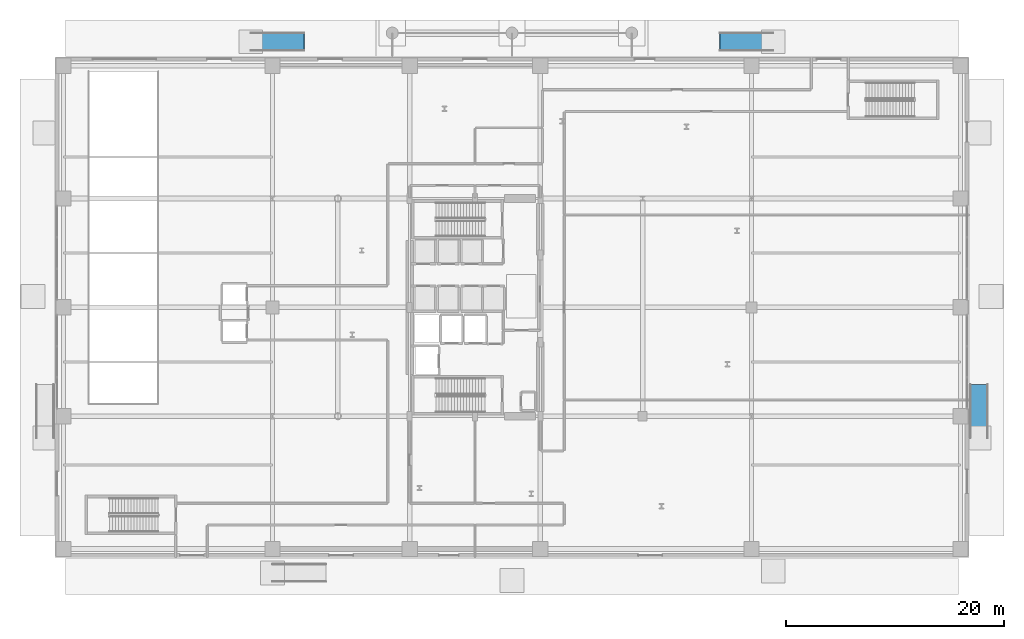
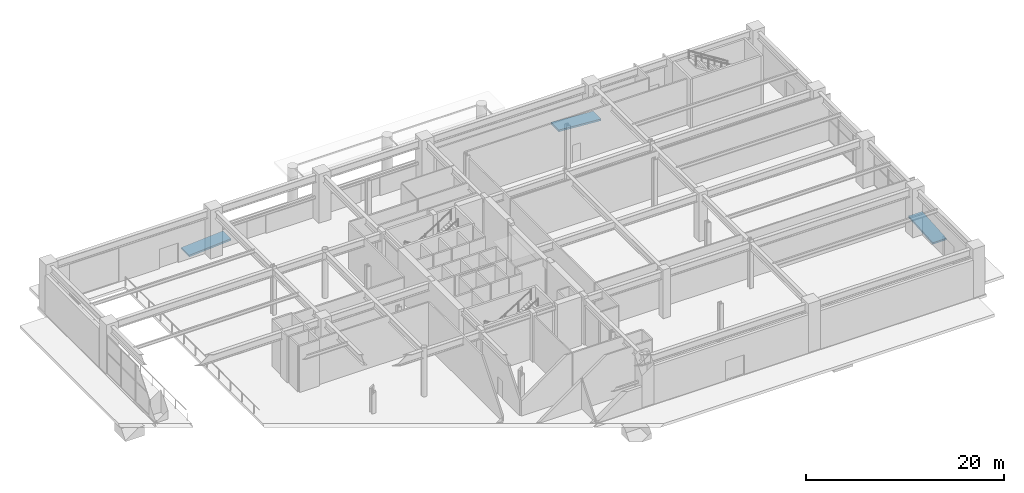
# One storey, part 24 of 31: 3 ramp flights, 3 elements without a shape of their own.
"""IFC4 building model written with IfcOpenShell, lengths in metres."""

from ifc_helpers import new_model, si_unit, direction, frame, origin, place, context, subcontext, project, spatial, polyline, outline, extrude, material, layer, layer_set, type_object, element, aggregate, save


model = new_model("IFC4")

# Units and contexts
model_context = context("Model", 3, precision=1e-05, world=origin(), true_north=direction((0.0, 1.0)))
body_context = subcontext(model_context, "Body", "Model", "MODEL_VIEW")
ifc_project = project(units=[si_unit("LENGTHUNIT", "METRE"), si_unit("AREAUNIT", "SQUARE_METRE"), si_unit("VOLUMEUNIT", "CUBIC_METRE"), si_unit("PLANEANGLEUNIT", "RADIAN"), si_unit("MASSUNIT", "GRAM", prefix="KILO")], contexts=[model_context])

# Site, building, storey
site_placement = place(None, origin())
site = spatial("IfcSite", under=ifc_project, at=site_placement, CompositionType="ELEMENT")
building_placement = place(site_placement, origin())
building = spatial("IfcBuilding", under=site, at=building_placement, Name="Soratama Intermodal Tower", CompositionType="ELEMENT")
storey_placement = place(building_placement, origin())
storey = spatial("IfcBuildingStorey", under=building, at=storey_placement, Name="L00", CompositionType="ELEMENT", Elevation=0.0)

# Ramp, ramp flight
ifc_material_1 = material(Name="Concrete f'c 42 MPa", Category="concrete")
ramp_type = type_object("IfcRampType", Name="RM-ACC-PED", PredefinedType="STRAIGHT_RUN_RAMP", material=ifc_material_1)
ramp_1_placement = place(storey_placement, origin())
ramp_1 = element("IfcRamp", 1, at=ramp_1_placement, inside=storey, type_object=ramp_type, Name="L00 Accessible Plaza Ramp N1", PredefinedType="STRAIGHT_RUN_RAMP")
ifc_material_2 = material(Name="Concrete f'c 42 MPa", Category="concrete")
ifc_layer = layer(ifc_material_2, 0.219970703125)
ifc_layer_set = layer_set([ifc_layer], Name="Concrete f'c 42 MPa")
ramp_flight_type = type_object("IfcRampFlightType", Name="RF-ACC-FLIGHT", PredefinedType="STRAIGHT", material=ifc_layer_set)
ramp_flight_1_placement = place(storey_placement, frame((18.0, 48.60009765625, -0.35009765625), z_axis=(-0.071268241387, 0.0, 0.997457185933), x_axis=(0.0, 1.0, 0.0)))
ramp_flight_1 = element("IfcRampFlight", 2, at=ramp_flight_1_placement, type_object=ramp_flight_type, Name="L00 Accessible Ramp Flight N1", PredefinedType="STRAIGHT", context=body_context, shape_type="SweptSolid", body=[
    extrude(outline(polyline([(0.0, 0.0), (1.599853515625, 0.0), (1.599853515625, -4.912393647418587), (0.0, -4.912393647418587), (0.0, 0.0)])), origin(), (0.0, 0.0, -1.0), 0.219970703125),
])
aggregate(ramp_1, [ramp_flight_1])

ramp_2_placement = place(storey_placement, origin())
ramp_2 = element("IfcRamp", 3, at=ramp_2_placement, inside=storey, type_object=ramp_type, Name="L00 Accessible Plaza Ramp N2", PredefinedType="STRAIGHT_RUN_RAMP")
ramp_flight_2_placement = place(storey_placement, frame((66.0, 48.60009765625, -0.35009765625), z_axis=(0.071268241387, 0.0, 0.997457185933), x_axis=(0.0, 1.0, 0.0)))
ramp_flight_2 = element("IfcRampFlight", 4, at=ramp_flight_2_placement, type_object=ramp_flight_type, Name="L00 Accessible Ramp Flight N2", PredefinedType="STRAIGHT", context=body_context, shape_type="SweptSolid", body=[
    extrude(outline(polyline([(0.0, 0.0), (1.599853515625, 0.0), (1.599853515625, 4.912393647418587), (0.0, 4.912393647418587), (0.0, 0.0)])), origin(), (0.0, 0.0, -1.0), 0.219970703125),
])
aggregate(ramp_2, [ramp_flight_2])

ramp_3_placement = place(storey_placement, origin())
ramp_3 = element("IfcRamp", 5, at=ramp_3_placement, inside=storey, type_object=ramp_type, Name="L00 Accessible Plaza Ramp E1", PredefinedType="STRAIGHT_RUN_RAMP")
ramp_flight_3_placement = place(storey_placement, frame((84.10009765625, 13.0, -0.35009765625), z_axis=(0.0, -0.071268241387, 0.997457185933), x_axis=(1.0, 0.0, 0.0)))
ramp_flight_3 = element("IfcRampFlight", 6, at=ramp_flight_3_placement, type_object=ramp_flight_type, Name="L00 Accessible Ramp Flight E1", PredefinedType="STRAIGHT", context=body_context, shape_type="SweptSolid", body=[
    extrude(outline(polyline([(0.0, 0.0), (1.599853515625, 0.0), (1.599853515625, 4.912393647418587), (0.0, 4.912393647418587), (0.0, 0.0)])), origin(), (0.0, 0.0, -1.0), 0.219970703125),
])
aggregate(ramp_3, [ramp_flight_3])

save(model, "model.ifc")
